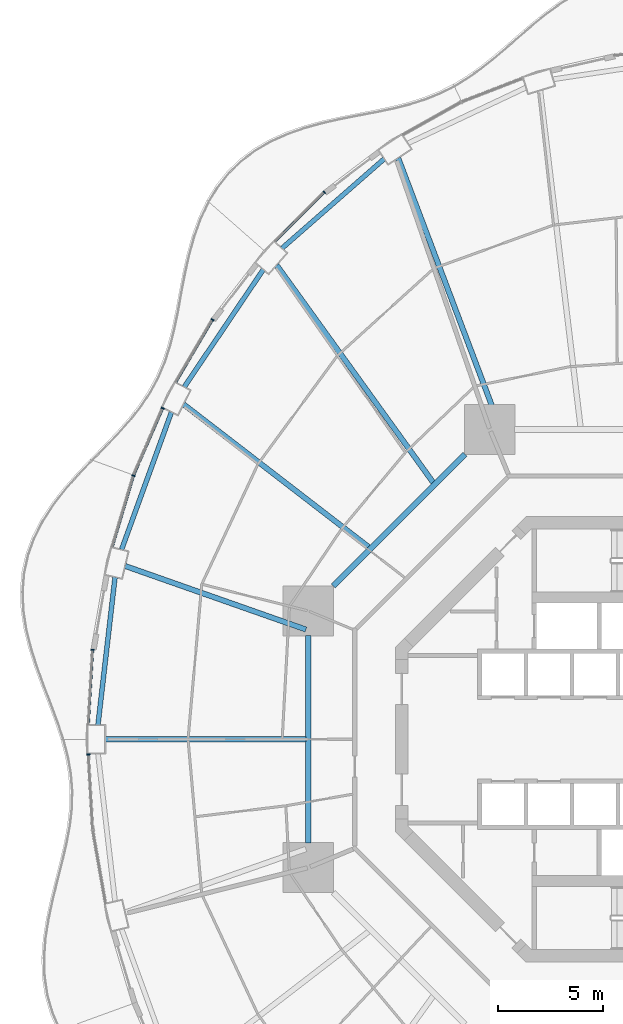
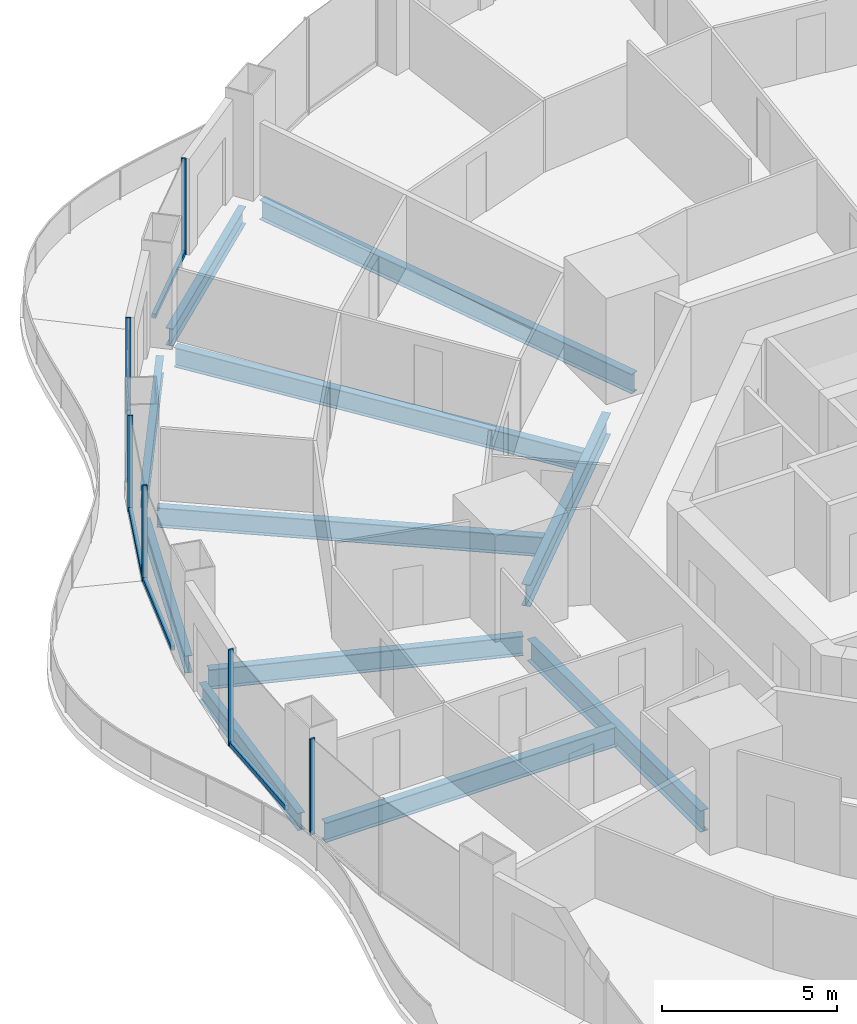
# One storey, part 7 of 22: 11 beams, 11 members, 6 elements without a shape of their own.
"""IFC4 building model written with IfcOpenShell, lengths in metres."""

from ifc_helpers import new_model, si_unit, direction, frame, origin, origin_2d, place, context, subcontext, project, spatial, rectangle, i_section, extrude, material, layer, layer_set, material_profile, profile_set, type_object, element, aggregate, save


model = new_model("IFC4")

# Units and contexts
model_context = context("Model", 3, precision=1e-05, world=origin(), true_north=direction((0.0, 1.0)))
body_context = subcontext(model_context, "Body", "Model", "MODEL_VIEW")
ifc_project = project(units=[si_unit("LENGTHUNIT", "METRE"), si_unit("AREAUNIT", "SQUARE_METRE"), si_unit("VOLUMEUNIT", "CUBIC_METRE"), si_unit("PLANEANGLEUNIT", "RADIAN"), si_unit("MASSUNIT", "GRAM", prefix="KILO")], contexts=[model_context])

# Site, building, storey
site_placement = place(None, origin())
site = spatial("IfcSite", under=ifc_project, at=site_placement, CompositionType="ELEMENT")
building_placement = place(site_placement, origin())
building = spatial("IfcBuilding", under=site, at=building_placement, Name="Nagisa Residences", CompositionType="ELEMENT")
storey_placement = place(building_placement, frame((0.0, 0.0, 64.0)))
storey = spatial("IfcBuildingStorey", under=building, at=storey_placement, Name="L15", CompositionType="ELEMENT", Elevation=64.0)

# Curtain wall, member
ifc_material_1 = material(Name="Concrete-coloured aluminium curtain wall system", Category="concrete")
ifc_layer = layer(ifc_material_1, 0.159912109375)
ifc_layer_set = layer_set([ifc_layer], Name="CW1 CURTAIN WALL")
curtain_wall_type = type_object("IfcCurtainWallType", Name="CW1 CURTAIN WALL", PredefinedType="NOTDEFINED", material=ifc_layer_set)
curtain_wall_1_placement = place(storey_placement, origin())
curtain_wall_1 = element("IfcCurtainWall", 1, at=curtain_wall_1_placement, inside=storey, type_object=curtain_wall_type, Name="cw:CW1:L15:17", PredefinedType="NOTDEFINED")
ifc_material_2 = material(Name="Concrete-coloured aluminium", Category="concrete")
ifc_material_profile_1 = material_profile(ifc_material_2, rectangle(XDim=0.159912109375, YDim=0.06005859375, at=origin_2d()), Name="CW1 MULLION 160x60")
ifc_profile_set_1 = profile_set([ifc_material_profile_1], Name="Concrete-coloured aluminium")
member_type_1 = type_object("IfcMemberType", Name="CW1 MULLION 160x60", PredefinedType="MULLION", material=ifc_profile_set_1)
member_1_placement = place(storey_placement, frame((-14.018798828125, 26.102783203125, 0.0), z_axis=(0.0, 0.0, 1.0), x_axis=(0.706376885714, -0.707835924016, 0.0)))
member_1 = element("IfcMember", 2, at=member_1_placement, type_object=member_type_1, Name="CW1 mullion", PredefinedType="MULLION", context=body_context, shape_type="SweptSolid", body=[
    extrude(rectangle(XDim=0.159912109375, YDim=0.06005859375, at=origin_2d()), origin(), (0.0, 0.0, 1.0), 3.35009765625),
])

curtain_wall_2_placement = place(storey_placement, origin())
curtain_wall_2 = element("IfcCurtainWall", 3, at=curtain_wall_2_placement, inside=storey, type_object=curtain_wall_type, Name="cw:CW1:L15:19", PredefinedType="NOTDEFINED")
member_2_placement = place(storey_placement, frame((-19.353515625, 20.022705078125, 0.0), z_axis=(0.0, 0.0, 1.0), x_axis=(0.862328898214, -0.506348567002, 0.0)))
member_2 = element("IfcMember", 4, at=member_2_placement, type_object=member_type_1, Name="CW1 mullion", PredefinedType="MULLION", context=body_context, shape_type="SweptSolid", body=[
    extrude(rectangle(XDim=0.159912109375, YDim=0.06005859375, at=origin_2d()), origin(), (0.0, 0.0, 1.0), 3.35009765625),
])

curtain_wall_3_placement = place(storey_placement, origin())
curtain_wall_3 = element("IfcCurtainWall", 5, at=curtain_wall_3_placement, inside=storey, type_object=curtain_wall_type, Name="cw:CW1:L15:20", PredefinedType="NOTDEFINED")
member_3_placement = place(storey_placement, frame((-21.731689453125, 15.79833984375, 0.0), z_axis=(0.0, 0.0, 1.0), x_axis=(0.917543276295, -0.397635934147, 0.0)))
member_3 = element("IfcMember", 6, at=member_3_placement, type_object=member_type_1, Name="CW1 mullion", PredefinedType="MULLION", context=body_context, shape_type="SweptSolid", body=[
    extrude(rectangle(XDim=0.159912109375, YDim=0.06005859375, at=origin_2d()), origin(), (0.0, 0.0, 1.0), 3.35009765625),
])

curtain_wall_4_placement = place(storey_placement, origin())
curtain_wall_4 = element("IfcCurtainWall", 7, at=curtain_wall_4_placement, inside=storey, type_object=curtain_wall_type, Name="cw:CW1:L15:21", PredefinedType="NOTDEFINED")
member_4_placement = place(storey_placement, frame((-23.12451171875, 12.576904296875, 0.0), z_axis=(0.0, 0.0, 1.0), x_axis=(0.958271310082, -0.285860274038, 0.0)))
member_4 = element("IfcMember", 8, at=member_4_placement, type_object=member_type_1, Name="CW1 mullion", PredefinedType="MULLION", context=body_context, shape_type="SweptSolid", body=[
    extrude(rectangle(XDim=0.159912109375, YDim=0.06005859375, at=origin_2d()), origin(), (0.0, 0.0, 1.0), 3.35009765625),
])

curtain_wall_5_placement = place(storey_placement, origin())
curtain_wall_5 = element("IfcCurtainWall", 9, at=curtain_wall_5_placement, inside=storey, type_object=curtain_wall_type, Name="cw:CW1:L15:23", PredefinedType="NOTDEFINED")
member_5_placement = place(storey_placement, frame((-25.07373046875, 4.272705078125, 0.0), z_axis=(0.0, 0.0, 1.0), x_axis=(0.998345305184, -0.057503492216, 0.0)))
member_5 = element("IfcMember", 10, at=member_5_placement, type_object=member_type_1, Name="CW1 mullion", PredefinedType="MULLION", context=body_context, shape_type="SweptSolid", body=[
    extrude(rectangle(XDim=0.159912109375, YDim=0.06005859375, at=origin_2d()), origin(), (0.0, 0.0, 1.0), 3.35009765625),
])

curtain_wall_6_placement = place(storey_placement, origin())
curtain_wall_6 = element("IfcCurtainWall", 11, at=curtain_wall_6_placement, inside=storey, type_object=curtain_wall_type, Name="cw:CW1:L15:24", PredefinedType="NOTDEFINED")
member_6_placement = place(storey_placement, frame((-25.278076171875, -0.72412109375, 0.0), z_axis=(0.0, 0.0, 1.0), x_axis=(0.998345305184, 0.057503492216, 0.0)))
member_6 = element("IfcMember", 12, at=member_6_placement, type_object=member_type_1, Name="CW1 mullion", PredefinedType="MULLION", context=body_context, shape_type="SweptSolid", body=[
    extrude(rectangle(XDim=0.159912109375, YDim=0.06005859375, at=origin_2d()), origin(), (0.0, 0.0, 1.0), 3.35009765625),
])
aggregate(curtain_wall_6, [member_6])

# Member
ifc_material_3 = material(Name="Concrete-coloured aluminium", Category="concrete")
ifc_material_profile_2 = material_profile(ifc_material_3, rectangle(XDim=0.1201171875, YDim=0.14990234375, at=origin_2d()), Name="CW1 TRANSOM 120x150")
ifc_profile_set_2 = profile_set([ifc_material_profile_2], Name="Concrete-coloured aluminium")
member_type_2 = type_object("IfcMemberType", Name="CW1 TRANSOM 120x150", PredefinedType="USERDEFINED", material=ifc_profile_set_2)
member_7_placement = place(storey_placement, frame((-13.99755859375, 26.1240234375, 0.074951171875), z_axis=(-0.707839761606, -0.706373040177, 0.0), x_axis=(0.706373040177, -0.707839761606, 0.0)))
member_7 = element("IfcMember", 13, at=member_7_placement, type_object=member_type_2, Name="CW1 transom", ObjectType="TRANSOM", PredefinedType="USERDEFINED", context=body_context, shape_type="SweptSolid", body=[
    extrude(rectangle(XDim=0.1201171875, YDim=0.14990234375, at=origin_2d()), origin(), (0.0, 0.0, 1.0), 3.3291015625),
])

aggregate(curtain_wall_1, [member_1, member_7])

member_8_placement = place(storey_placement, frame((-19.33837890625, 20.048583984375, 0.074951171875), z_axis=(-0.506341951316, -0.862332782827, 0.0), x_axis=(0.862332782827, -0.506341951316, 0.0)))
member_8 = element("IfcMember", 14, at=member_8_placement, type_object=member_type_2, Name="CW1 transom", ObjectType="TRANSOM", PredefinedType="USERDEFINED", context=body_context, shape_type="SweptSolid", body=[
    extrude(rectangle(XDim=0.1201171875, YDim=0.14990234375, at=origin_2d()), origin(), (0.0, 0.0, 1.0), 3.4619140625),
])

aggregate(curtain_wall_2, [member_2, member_8])

member_9_placement = place(storey_placement, frame((-21.7197265625, 15.825927734375, 0.074951171875), z_axis=(-0.397624958345, -0.917548032803, 0.0), x_axis=(0.917548032803, -0.397624958345, 0.0)))
member_9 = element("IfcMember", 15, at=member_9_placement, type_object=member_type_2, Name="CW1 transom", ObjectType="TRANSOM", PredefinedType="USERDEFINED", context=body_context, shape_type="SweptSolid", body=[
    extrude(rectangle(XDim=0.1201171875, YDim=0.14990234375, at=origin_2d()), origin(), (0.0, 0.0, 1.0), 3.51953125),
])

aggregate(curtain_wall_3, [member_3, member_9])

member_10_placement = place(storey_placement, frame((-23.115966796875, 12.605712890625, 0.074951171875), z_axis=(-0.285808431121, -0.958286773727, 0.0), x_axis=(0.958286773727, -0.285808431121, 0.0)))
member_10 = element("IfcMember", 16, at=member_10_placement, type_object=member_type_2, Name="CW1 transom", ObjectType="TRANSOM", PredefinedType="USERDEFINED", context=body_context, shape_type="SweptSolid", body=[
    extrude(rectangle(XDim=0.1201171875, YDim=0.14990234375, at=origin_2d()), origin(), (0.0, 0.0, 1.0), 3.5654296875),
])

aggregate(curtain_wall_4, [member_4, member_10])

member_11_placement = place(storey_placement, frame((-25.072021484375, 4.302734375, 0.074951171875), z_axis=(-0.057482603412, -0.998346508135, 0.0), x_axis=(0.998346508135, -0.057482603412, 0.0)))
member_11 = element("IfcMember", 17, at=member_11_placement, type_object=member_type_2, Name="CW1 transom", ObjectType="TRANSOM", PredefinedType="USERDEFINED", context=body_context, shape_type="SweptSolid", body=[
    extrude(rectangle(XDim=0.1201171875, YDim=0.14990234375, at=origin_2d()), origin(), (0.0, 0.0, 1.0), 3.6142578125),
])

aggregate(curtain_wall_5, [member_5, member_11])

# Beams
ifc_material_4 = material(Name="Steel ASTM A572 Gr 50", Category="steel")
ifc_material_profile_3 = material_profile(ifc_material_4, i_section(OverallWidth=0.264892578125, OverallDepth=0.7529296875, WebThickness=0.01318359375, FlangeThickness=0.01708984375, at=origin_2d()), Name="W760x147")
ifc_profile_set_3 = profile_set([ifc_material_profile_3], Name="Steel ASTM A572 Gr 50")
beam_type_1 = type_object("IfcBeamType", Name="Inner ring beam W760x147", PredefinedType="BEAM", material=ifc_profile_set_3)
beam_1_placement = place(storey_placement, frame((-7.308837890625, 13.59619140625, -0.636474609375), z_axis=(-0.707106781187, -0.707106781187, 0.0), x_axis=(0.707106781187, -0.707106781187, 0.0)))
element("IfcBeam", 18, at=beam_1_placement, inside=storey, type_object=beam_type_1, Name="beam:L15:ib3", PredefinedType="BEAM", context=body_context, shape_type="SweptSolid", body=[
    extrude(i_section(OverallWidth=0.264892578125, OverallDepth=0.7529296875, WebThickness=0.01318359375, FlangeThickness=0.01708984375, at=origin_2d()), origin(), (0.0, 0.0, 1.0), 8.8916015625),
])
beam_2_placement = place(storey_placement, frame((-14.781982421875, 4.94287109375, -0.636474609375), z_axis=(0.0, -1.0, 0.0), x_axis=(1.0, 0.0, 0.0)))
element("IfcBeam", 19, at=beam_2_placement, inside=storey, type_object=beam_type_1, Name="beam:L15:ib4", PredefinedType="BEAM", context=body_context, shape_type="SweptSolid", body=[
    extrude(i_section(OverallWidth=0.264892578125, OverallDepth=0.7529296875, WebThickness=0.01318359375, FlangeThickness=0.01708984375, at=origin_2d()), origin(), (0.0, 0.0, 1.0), 9.8857421875),
])
ifc_material_5 = material(Name="Steel ASTM A572 Gr 50", Category="steel")
ifc_material_profile_4 = material_profile(ifc_material_5, i_section(OverallWidth=0.22802734375, OverallDepth=0.60302734375, WebThickness=0.010498046875, FlangeThickness=0.014892578125, at=origin_2d()), Name="W610x101")
ifc_profile_set_4 = profile_set([ifc_material_profile_4], Name="Steel ASTM A572 Gr 50")
beam_type_2 = type_object("IfcBeamType", Name="Perimeter ring beam W610x101", PredefinedType="BEAM", material=ifc_profile_set_4)
beam_3_placement = place(storey_placement, frame((-11.166748046875, 27.693603515625, -0.5615234375), z_axis=(-0.752574357292, -0.658507279191, 0.0), x_axis=(0.658507279191, -0.752574357292, 0.0)))
element("IfcBeam", 20, at=beam_3_placement, inside=storey, type_object=beam_type_2, Name="beam:L15:pb09", PredefinedType="BEAM", context=body_context, shape_type="SweptSolid", body=[
    extrude(i_section(OverallWidth=0.22802734375, OverallDepth=0.60302734375, WebThickness=0.010498046875, FlangeThickness=0.014892578125, at=origin_2d()), origin(), (0.0, 0.0, 1.0), 6.47021484375),
])
beam_4_placement = place(storey_placement, frame((-16.935302734375, 22.411865234375, -0.5615234375), z_axis=(-0.558296806041, -0.829641293792, 0.0), x_axis=(0.829641293792, -0.558296806041, 0.0)))
element("IfcBeam", 21, at=beam_4_placement, inside=storey, type_object=beam_type_2, Name="beam:L15:pb10", PredefinedType="BEAM", context=body_context, shape_type="SweptSolid", body=[
    extrude(i_section(OverallWidth=0.22802734375, OverallDepth=0.60302734375, WebThickness=0.010498046875, FlangeThickness=0.014892578125, at=origin_2d()), origin(), (0.0, 0.0, 1.0), 6.74169921875),
])
beam_5_placement = place(storey_placement, frame((-21.315673828125, 15.60595703125, -0.5615234375), z_axis=(-0.341411143183, -0.939914055279, 0.0), x_axis=(0.939914055279, -0.341411143183, 0.0)))
element("IfcBeam", 22, at=beam_5_placement, inside=storey, type_object=beam_type_2, Name="beam:L15:pb11", PredefinedType="BEAM", context=body_context, shape_type="SweptSolid", body=[
    extrude(i_section(OverallWidth=0.22802734375, OverallDepth=0.60302734375, WebThickness=0.010498046875, FlangeThickness=0.014892578125, at=origin_2d()), origin(), (0.0, 0.0, 1.0), 6.96923828125),
])
beam_6_placement = place(storey_placement, frame((-24.00732421875, 7.7314453125, -0.5615234375), z_axis=(-0.114707660057, -0.993399291687, 0.0), x_axis=(0.993399291687, -0.114707660057, 0.0)))
element("IfcBeam", 23, at=beam_6_placement, inside=storey, type_object=beam_type_2, Name="beam:L15:pb12", PredefinedType="BEAM", context=body_context, shape_type="SweptSolid", body=[
    extrude(i_section(OverallWidth=0.22802734375, OverallDepth=0.60302734375, WebThickness=0.010498046875, FlangeThickness=0.014892578125, at=origin_2d()), origin(), (0.0, 0.0, 1.0), 7.09814453125),
])
ifc_material_6 = material(Name="Steel ASTM A572 Gr 50", Category="steel")
ifc_material_profile_5 = material_profile(ifc_material_6, i_section(OverallWidth=0.25390625, OverallDepth=0.68408203125, WebThickness=0.012451171875, FlangeThickness=0.018798828125, at=origin_2d()), Name="W690x140")
ifc_profile_set_5 = profile_set([ifc_material_profile_5], Name="Steel ASTM A572 Gr 50")
beam_type_3 = type_object("IfcBeamType", Name="Radial beam W690x140", PredefinedType="BEAM", material=ifc_profile_set_5)
beam_7_placement = place(storey_placement, frame((-10.493896484375, 27.7333984375, -0.60205078125), z_axis=(0.353887892206, -0.935287848606, 0.0), x_axis=(0.935287848606, 0.353887892206, 0.0)))
element("IfcBeam", 24, at=beam_7_placement, inside=storey, type_object=beam_type_3, Name="beam:L15:rb09", PredefinedType="BEAM", context=body_context, shape_type="SweptSolid", body=[
    extrude(i_section(OverallWidth=0.25390625, OverallDepth=0.68408203125, WebThickness=0.012451171875, FlangeThickness=0.018798828125, at=origin_2d()), origin(), (0.0, 0.0, 1.0), 13.725830078125),
])
beam_8_placement = place(storey_placement, frame((-16.29443359375, 22.62255859375, -0.60205078125), z_axis=(0.58445507622, -0.811426068031, 0.0), x_axis=(0.811426068031, 0.58445507622, 0.0)))
element("IfcBeam", 25, at=beam_8_placement, inside=storey, type_object=beam_type_3, Name="beam:L15:rb10", PredefinedType="BEAM", context=body_context, shape_type="SweptSolid", body=[
    extrude(i_section(OverallWidth=0.25390625, OverallDepth=0.68408203125, WebThickness=0.012451171875, FlangeThickness=0.018798828125, at=origin_2d()), origin(), (0.0, 0.0, 1.0), 12.78955078125),
])
beam_9_placement = place(storey_placement, frame((-20.73486328125, 15.982666015625, -0.60205078125), z_axis=(0.792016146736, -0.610500141941, 0.0), x_axis=(0.610500141941, 0.792016146736, 0.0)))
element("IfcBeam", 26, at=beam_9_placement, inside=storey, type_object=beam_type_3, Name="beam:L15:rb11", PredefinedType="BEAM", context=body_context, shape_type="SweptSolid", body=[
    extrude(i_section(OverallWidth=0.25390625, OverallDepth=0.68408203125, WebThickness=0.012451171875, FlangeThickness=0.018798828125, at=origin_2d()), origin(), (0.0, 0.0, 1.0), 11.160888671875),
])
beam_10_placement = place(storey_placement, frame((-23.520751953125, 8.26806640625, -0.60205078125), z_axis=(0.943414535235, -0.331615763659, 0.0), x_axis=(0.331615763659, 0.943414535235, 0.0)))
element("IfcBeam", 27, at=beam_10_placement, inside=storey, type_object=beam_type_3, Name="beam:L15:rb12", PredefinedType="BEAM", context=body_context, shape_type="SweptSolid", body=[
    extrude(i_section(OverallWidth=0.25390625, OverallDepth=0.68408203125, WebThickness=0.012451171875, FlangeThickness=0.018798828125, at=origin_2d()), origin(), (0.0, 0.0, 1.0), 9.142333984375),
])
beam_11_placement = place(storey_placement, frame((-24.469970703125, 0.0, -0.60205078125), z_axis=(1.0, 0.0, 0.0), x_axis=(0.0, 1.0, 0.0)))
element("IfcBeam", 28, at=beam_11_placement, inside=storey, type_object=beam_type_3, Name="beam:L15:rb13", PredefinedType="BEAM", context=body_context, shape_type="SweptSolid", body=[
    extrude(i_section(OverallWidth=0.25390625, OverallDepth=0.68408203125, WebThickness=0.012451171875, FlangeThickness=0.018798828125, at=origin_2d()), origin(), (0.0, 0.0, 1.0), 9.575439453125),
])

save(model, "model.ifc")
